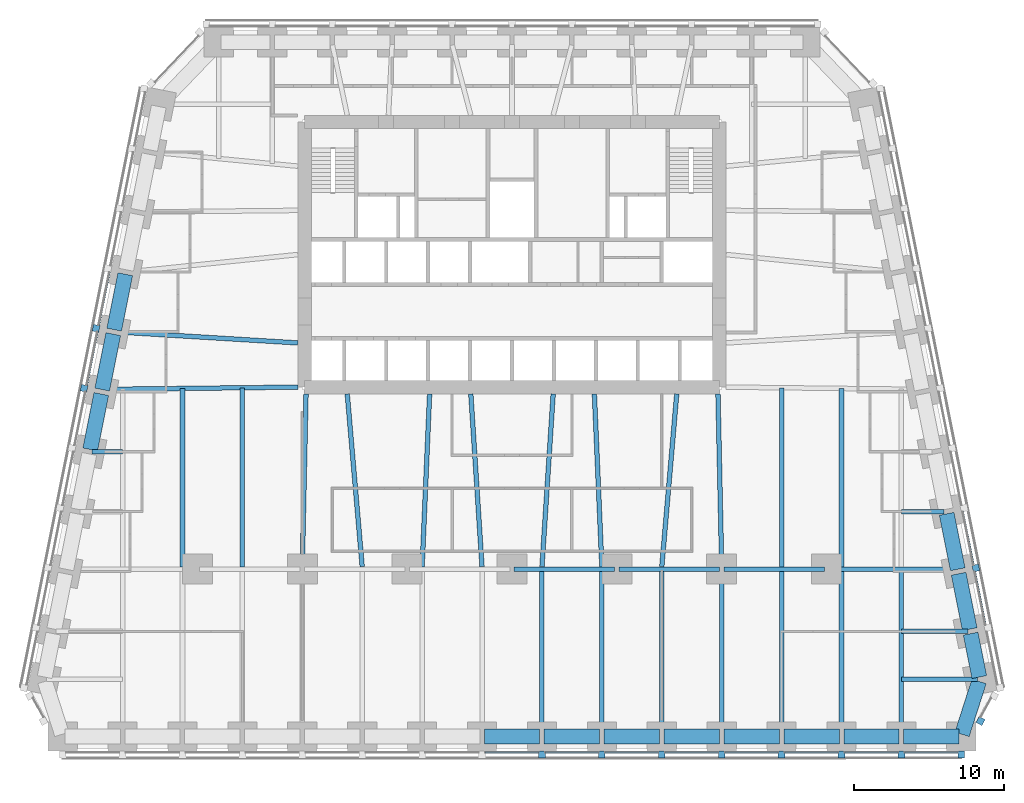
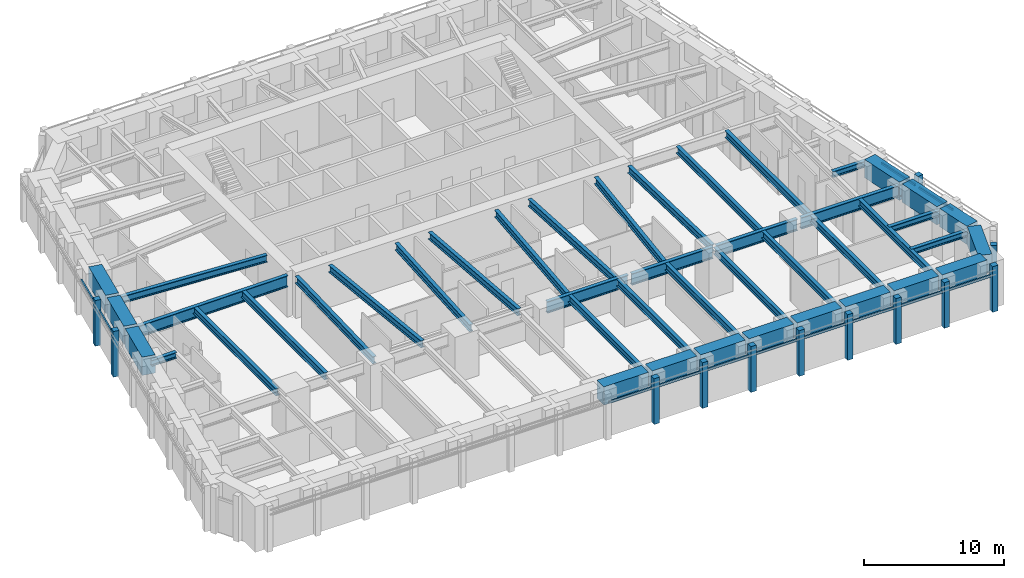
# One storey, part 2 of 10: 44 beams, 24 members, 4 elements without a shape of their own.
"""IFC4 building model written with IfcOpenShell, lengths in metres."""

import ifcopenshell
import ifcopenshell.guid

model = None  # the IFC model being written
_history = None  # IfcOwnerHistory: only IFC2X3 demands one
_inside = {}  # id of a spatial element -> (the spatial element, [elements in it])
_under = {}  # id of a project, library or spatial element -> (it, [spatial elements below it])
_declared = {}  # id of a project -> (the project, [libraries it declares])
_typed = {}  # id of a type object -> (the type object, [elements of that type])
_made_of = {}  # id of a material, layer set ... -> (it, [elements and type objects made of it])


def new_model(schema):
    """Start an empty IFC model of exactly this schema.

    Asked for "IFC4X3", IfcOpenShell would pick the latest addendum, in which some entities
    have other attributes; the version numbers below select the first issue.
    IFC2X3 requires an IfcOwnerHistory on every rooted entity: one is made here for all.
    """
    global model, _history
    if schema == "IFC4X3":
        model = ifcopenshell.file(schema_version=(4, 3, 0, 0))
    else:
        model = ifcopenshell.file(schema=schema)
    _inside.clear()
    _under.clear()
    _declared.clear()
    _typed.clear()
    _made_of.clear()
    _history = None
    if model.schema == "IFC2X3":
        org = make("IfcOrganization", Name="unknown")
        user = make(
            "IfcPersonAndOrganization",
            ThePerson=make("IfcPerson", FamilyName="unknown"),
            TheOrganization=org,
        )
        app = make(
            "IfcApplication",
            ApplicationDeveloper=org,
            Version="unknown",
            ApplicationFullName="unknown",
            ApplicationIdentifier="unknown",
        )
        _history = make(
            "IfcOwnerHistory",
            OwningUser=user,
            OwningApplication=app,
            ChangeAction="ADDED",
            CreationDate=0,
        )
    return model


def make(cls, **values):
    """One entity of the class cls with the attributes given. An attribute that is None is left unset."""
    return model.create_entity(
        cls, **{name: value for name, value in values.items() if value is not None}
    )


def rooted(cls, **values):
    """An entity with a GlobalId (a new one), such as an element, a storey or a relation."""
    return make(cls, GlobalId=ifcopenshell.guid.new(), OwnerHistory=_history, **values)


def si_unit(unit_type, name, prefix=None):
    """IfcSIUnit, for example si_unit("LENGTHUNIT", "METRE", prefix="MILLI")."""
    return make("IfcSIUnit", UnitType=unit_type, Prefix=prefix, Name=name)


def assignment(units):
    """IfcUnitAssignment: the units of a project."""
    return None if units is None else make("IfcUnitAssignment", Units=units)


def point(xyz):
    """IfcCartesianPoint."""
    return None if xyz is None else make("IfcCartesianPoint", Coordinates=xyz)


def direction(xyz):
    """IfcDirection."""
    return None if xyz is None else make("IfcDirection", DirectionRatios=xyz)


def frame(location, z_axis=None, x_axis=None):
    """IfcAxis2Placement3D, a coordinate frame: its origin and axes. An axis left out is left unset."""
    return make(
        "IfcAxis2Placement3D",
        Location=point(location),
        Axis=direction(z_axis),
        RefDirection=direction(x_axis),
    )


def frame_2d(location, x_axis=None):
    """IfcAxis2Placement2D, a coordinate frame in the plane: its origin and x axis."""
    return make(
        "IfcAxis2Placement2D", Location=point(location), RefDirection=direction(x_axis)
    )


def origin():
    """The frame at (0, 0, 0) with its axes left unset."""
    return frame((0.0, 0.0, 0.0))


def origin_2d():
    """The frame at (0, 0) in the plane with its x axis left unset."""
    return frame_2d((0.0, 0.0))


def place(relative_to, where):
    """IfcLocalPlacement: puts the frame where relative to a parent placement (None: the world)."""
    return make(
        "IfcLocalPlacement", PlacementRelTo=relative_to, RelativePlacement=where
    )


def context(
    kind, dimensions, precision=None, world=None, true_north=None, identifier=None
):
    """IfcGeometricRepresentationContext, for example the 3D "Model" context."""
    return make(
        "IfcGeometricRepresentationContext",
        ContextIdentifier=identifier,
        ContextType=kind,
        CoordinateSpaceDimension=dimensions,
        Precision=precision,
        WorldCoordinateSystem=world,
        TrueNorth=true_north,
    )


def subcontext(parent, identifier, kind, view, scale=None):
    """IfcGeometricRepresentationSubContext, for example "Body" below "Model"."""
    return make(
        "IfcGeometricRepresentationSubContext",
        ContextIdentifier=identifier,
        ContextType=kind,
        ParentContext=parent,
        TargetScale=scale,
        TargetView=view,
    )


def project(units=None, contexts=None):
    """IfcProject with its units and contexts."""
    return rooted(
        "IfcProject",
        Name="project",
        RepresentationContexts=contexts,
        UnitsInContext=assignment(units),
    )


def spatial(cls, under=None, at=None, **own):
    """A site, building, storey or space (cls), placed at a placement, below another one or the project."""
    s = rooted(cls, ObjectPlacement=at, **own)
    if under is not None:
        _under.setdefault(under.id(), (under, []))[1].append(s)
    return s


def profile(cls, at=None, kind="AREA", **sizes):
    """A parametric profile (cls). Its sizes go by their IFC names, for example OverallWidth=200.0."""
    return make(cls, ProfileType=kind, Position=at, **sizes)


def rectangle(**sizes):
    """IfcRectangleProfileDef."""
    return profile("IfcRectangleProfileDef", **sizes)


def i_section(**sizes):
    """IfcIShapeProfileDef."""
    return profile("IfcIShapeProfileDef", **sizes)


def extrude(swept, where, along, depth):
    """IfcExtrudedAreaSolid: the profile swept, set in the frame where, extruded along a direction by depth."""
    return make(
        "IfcExtrudedAreaSolid",
        SweptArea=swept,
        Position=where,
        ExtrudedDirection=direction(along),
        Depth=depth,
    )


def shape(context_of_items, identifier, shape_type, items):
    """IfcShapeRepresentation: the items that make up one representation, for example the "Body"."""
    return make(
        "IfcShapeRepresentation",
        ContextOfItems=context_of_items,
        RepresentationIdentifier=identifier,
        RepresentationType=shape_type,
        Items=items,
    )


def material(Name=None, Category=None):
    """IfcMaterial."""
    return make("IfcMaterial", Name=Name, Category=Category)


def material_profile(
    of_material, cross_section, Name=None, Category=None, Priority=None
):
    """IfcMaterialProfile: a cross section and its material."""
    return make(
        "IfcMaterialProfile",
        Name=Name,
        Material=of_material,
        Profile=cross_section,
        Priority=Priority,
        Category=Category,
    )


def profile_set(profiles, Name=None, composite=None):
    """IfcMaterialProfileSet."""
    return make(
        "IfcMaterialProfileSet",
        Name=Name,
        MaterialProfiles=profiles,
        CompositeProfile=composite,
    )


def made_of(thing, what):
    """Note that an element or type object is made of a material, layer set ...; save() writes the relation."""
    if what is not None:
        _made_of.setdefault(what.id(), (what, []))[1].append(thing)
    return thing


def type_object(cls, material=None, **own):
    """A type object (cls), such as IfcWallType, which elements share."""
    return made_of(rooted(cls, **own), material)


def element(
    cls,
    number,
    at=None,
    inside=None,
    cuts=None,
    type_object=None,
    material=None,
    context=None,
    identifier="Body",
    shape_type=None,
    held_by="IfcProductDefinitionShape",
    body=None,
    shapes=None,
    **own,
):
    """One element of the class cls, such as IfcWall. Its Tag is "e" and its number.

    at: its placement. inside: the storey or other place that contains it. cuts: it is an
    opening in that element (IfcRelVoidsElement). A single representation is given by context,
    identifier, shape_type and body (its items); several are given by shapes. held_by: the class
    of the entity that holds the representations. save() writes the other relations.
    """
    e = rooted(cls, Tag="e%d" % number, ObjectPlacement=at, **own)
    if body is not None:
        shapes = [shape(context, identifier, shape_type, body)]
    if shapes is not None:
        e.Representation = make(held_by, Representations=shapes)
    if inside is not None:
        _inside.setdefault(inside.id(), (inside, []))[1].append(e)
    if cuts is not None:
        rooted(
            "IfcRelVoidsElement", RelatingBuildingElement=cuts, RelatedOpeningElement=e
        )
    if type_object is not None:
        _typed.setdefault(type_object.id(), (type_object, []))[1].append(e)
    return made_of(e, material)


def aggregate(whole, parts):
    """IfcRelAggregates: a whole, such as a stair, and the parts it consists of."""
    return rooted("IfcRelAggregates", RelatingObject=whole, RelatedObjects=parts)


def save(model, path):
    """Write the relations noted so far, then the file.

    IfcRelAggregates (storeys below a building ...), IfcRelContainedInSpatialStructure (elements
    in a storey), IfcRelDefinesByType, IfcRelAssociatesMaterial and IfcRelDeclares: one each for
    every whole, place, type object, material and project.
    """
    for whole, parts in _under.values():
        aggregate(whole, parts)
    for where, things in _inside.values():
        rooted(
            "IfcRelContainedInSpatialStructure",
            RelatedElements=things,
            RelatingStructure=where,
        )
    for kind, things in _typed.values():
        rooted("IfcRelDefinesByType", RelatedObjects=things, RelatingType=kind)
    for what, things in _made_of.values():
        rooted("IfcRelAssociatesMaterial", RelatedObjects=things, RelatingMaterial=what)
    for by, libraries in _declared.values():
        rooted("IfcRelDeclares", RelatingContext=by, RelatedDefinitions=libraries)
    model.write(path)


model = new_model("IFC4")

# Units and contexts
model_context = context("Model", 3, precision=1e-05, world=origin(), true_north=direction((0.0, 1.0)))
body_context = subcontext(model_context, "Body", "Model", "MODEL_VIEW")
ifc_project = project(units=[si_unit("LENGTHUNIT", "METRE"), si_unit("AREAUNIT", "SQUARE_METRE"), si_unit("VOLUMEUNIT", "CUBIC_METRE"), si_unit("PLANEANGLEUNIT", "RADIAN"), si_unit("MASSUNIT", "GRAM", prefix="KILO")], contexts=[model_context])

# Site, building, storey
site_placement = place(None, origin())
site = spatial("IfcSite", under=ifc_project, at=site_placement, CompositionType="ELEMENT")
building_placement = place(site_placement, origin())
building = spatial("IfcBuilding", under=site, at=building_placement, Name="Isbrekke Arena Tower", CompositionType="ELEMENT")
storey_placement = place(building_placement, frame((0.0, 0.0, 88.0)))
storey = spatial("IfcBuildingStorey", under=building, at=storey_placement, Name="L19", CompositionType="ELEMENT", Elevation=88.0)

# Beams
ifc_material_1 = material(Name="Steel S355", Category="steel")
ifc_material_profile_1 = material_profile(ifc_material_1, i_section(OverallWidth=0.304931640625, OverallDepth=0.6201171875, WebThickness=0.02099609375, FlangeThickness=0.0400390625, FilletRadius=0.027099609375, at=origin_2d()), Name="HEM 600")
ifc_profile_set_1 = profile_set([ifc_material_profile_1], Name="Steel S355")
beam_type_1 = type_object("IfcBeamType", Name="B4 HEM 600", PredefinedType="BEAM", material=ifc_profile_set_1)
for number, where, z_axis, x_axis, name in (
    (1, (2.0, -17.02490234375, 3.43994140625), (0.0, 1.0, 0.0), (-1.0, 0.0, 0.0), "B4 beam S-S09 L19"),
    (2, (6.0, -17.02490234375, 3.43994140625), (0.0, 1.0, 0.0), (-1.0, 0.0, 0.0), "B4 beam S-S10 L19"),
    (3, (10.0, -17.02490234375, 3.43994140625), (0.0, 1.0, 0.0), (-1.0, 0.0, 0.0), "B4 beam S-S11 L19"),
):
    element("IfcBeam", number, at=place(storey_placement, frame(where, z_axis=z_axis, x_axis=x_axis)), inside=storey, type_object=beam_type_1, Name=name, PredefinedType="BEAM", context=body_context, shape_type="SweptSolid", body=[
        extrude(i_section(OverallWidth=0.304931640625, OverallDepth=0.6201171875, WebThickness=0.02099609375, FlangeThickness=0.0400390625, FilletRadius=0.027099609375, at=origin_2d()), origin(), (0.0, 0.0, 1.0), 10.8740234375),
    ])
beam_1_placement = place(storey_placement, frame((14.0, -17.02490234375, 3.43994140625), z_axis=(0.0, 1.0, 0.0), x_axis=(-1.0, 0.0, 0.0)))
element("IfcBeam", 4, at=beam_1_placement, inside=storey, type_object=beam_type_1, Name="B4 beam S-S12 L19", PredefinedType="BEAM", context=body_context, shape_type="SweptSolid", body=[
    extrude(i_section(OverallWidth=0.304931640625, OverallDepth=0.6201171875, WebThickness=0.02099609375, FlangeThickness=0.0400390625, FilletRadius=0.027099609375, at=origin_2d()), origin(), (0.0, 0.0, 1.0), 10.875),
])
for number, where, z_axis, x_axis, name in (
    (5, (18.0, -17.02490234375, 3.43994140625), (0.0, 1.0, 0.0), (-1.0, 0.0, 0.0), "B4 beam S-S13 L19"),
    (6, (22.0, -17.02490234375, 3.43994140625), (0.0, 1.0, 0.0), (-1.0, 0.0, 0.0), "B4 beam S-S14 L19"),
    (7, (26.0, -17.02490234375, 3.43994140625), (0.0, 1.0, 0.0), (-1.0, 0.0, 0.0), "B4 beam S-S15 L19"),
):
    element("IfcBeam", number, at=place(storey_placement, frame(where, z_axis=z_axis, x_axis=x_axis)), inside=storey, type_object=beam_type_1, Name=name, PredefinedType="BEAM", context=body_context, shape_type="SweptSolid", body=[
        extrude(i_section(OverallWidth=0.304931640625, OverallDepth=0.6201171875, WebThickness=0.02099609375, FlangeThickness=0.0400390625, FilletRadius=0.027099609375, at=origin_2d()), origin(), (0.0, 0.0, 1.0), 10.8740234375),
    ])
beam_2_placement = place(storey_placement, frame((-22.0, -5.84912109375, 3.43994140625), z_axis=(0.0, 1.0, 0.0), x_axis=(-1.0, 0.0, 0.0)))
element("IfcBeam", 8, at=beam_2_placement, inside=storey, type_object=beam_type_1, Name="B4 beam C-M02 L19", PredefinedType="BEAM", context=body_context, shape_type="SweptSolid", body=[
    extrude(i_section(OverallWidth=0.304931640625, OverallDepth=0.6201171875, WebThickness=0.02099609375, FlangeThickness=0.0400390625, FilletRadius=0.027099609375, at=origin_2d()), origin(), (0.0, 0.0, 1.0), 11.910888671875),
])
beam_3_placement = place(storey_placement, frame((-18.0, -5.84912109375, 3.43994140625), z_axis=(0.0, 1.0, 0.0), x_axis=(-1.0, 0.0, 0.0)))
element("IfcBeam", 9, at=beam_3_placement, inside=storey, type_object=beam_type_1, Name="B4 beam C-M03 L19", PredefinedType="BEAM", context=body_context, shape_type="SweptSolid", body=[
    extrude(i_section(OverallWidth=0.304931640625, OverallDepth=0.6201171875, WebThickness=0.02099609375, FlangeThickness=0.0400390625, FilletRadius=0.027099609375, at=origin_2d()), origin(), (0.0, 0.0, 1.0), 11.956787109375),
])
beam_4_placement = place(storey_placement, frame((-14.0, -5.8466796875, 3.43994140625), z_axis=(0.021646264273, 0.999765692171, 0.0), x_axis=(-0.999765692171, 0.021646264273, 0.0)))
element("IfcBeam", 10, at=beam_4_placement, inside=storey, type_object=beam_type_1, Name="B4 beam C-M04 L19", PredefinedType="BEAM", context=body_context, shape_type="SweptSolid", body=[
    extrude(i_section(OverallWidth=0.304931640625, OverallDepth=0.6201171875, WebThickness=0.02099609375, FlangeThickness=0.0400390625, FilletRadius=0.027099609375, at=origin_2d()), origin(), (0.0, 0.0, 1.0), 11.54931640625),
])
beam_5_placement = place(storey_placement, frame((-10.001220703125, -5.8359375, 3.43994140625), z_axis=(-0.086257483273, 0.996272877569, 0.0), x_axis=(-0.996272877569, -0.086257483273, 0.0)))
element("IfcBeam", 11, at=beam_5_placement, inside=storey, type_object=beam_type_1, Name="B4 beam C-M05 L19", PredefinedType="BEAM", context=body_context, shape_type="SweptSolid", body=[
    extrude(i_section(OverallWidth=0.304931640625, OverallDepth=0.6201171875, WebThickness=0.02099609375, FlangeThickness=0.0400390625, FilletRadius=0.027099609375, at=origin_2d()), origin(), (0.0, 0.0, 1.0), 11.5791015625),
])
beam_6_placement = place(storey_placement, frame((-5.999755859375, -5.842529296875, 3.43994140625), z_axis=(0.04325656756, 0.99906399663, 0.0), x_axis=(-0.99906399663, 0.04325656756, 0.0)))
element("IfcBeam", 12, at=beam_6_placement, inside=storey, type_object=beam_type_1, Name="B4 beam C-M06 L19", PredefinedType="BEAM", context=body_context, shape_type="SweptSolid", body=[
    extrude(i_section(OverallWidth=0.304931640625, OverallDepth=0.6201171875, WebThickness=0.02099609375, FlangeThickness=0.0400390625, FilletRadius=0.027099609375, at=origin_2d()), origin(), (0.0, 0.0, 1.0), 11.55322265625),
])
for number, where, z_axis, x_axis, name in (
    (13, (-2.000732421875, -5.839111328125, 3.43994140625), (-0.064796683644, 0.997898486715, 0.0), (-0.997898486715, -0.064796683644, 0.0), "B4 beam C-M07 L19"),
    (14, (2.000732421875, -5.839111328125, 3.43994140625), (0.064796683644, 0.997898486715, 0.0), (-0.997898486715, 0.064796683644, 0.0), "B4 beam C-M08 L19"),
):
    element("IfcBeam", number, at=place(storey_placement, frame(where, z_axis=z_axis, x_axis=x_axis)), inside=storey, type_object=beam_type_1, Name=name, PredefinedType="BEAM", context=body_context, shape_type="SweptSolid", body=[
        extrude(i_section(OverallWidth=0.304931640625, OverallDepth=0.6201171875, WebThickness=0.02099609375, FlangeThickness=0.0400390625, FilletRadius=0.027099609375, at=origin_2d()), origin(), (0.0, 0.0, 1.0), 11.5634765625),
    ])
beam_7_placement = place(storey_placement, frame((5.999755859375, -5.842529296875, 3.43994140625), z_axis=(-0.04325656756, 0.99906399663, 0.0), x_axis=(-0.99906399663, -0.04325656756, 0.0)))
element("IfcBeam", 15, at=beam_7_placement, inside=storey, type_object=beam_type_1, Name="B4 beam C-M09 L19", PredefinedType="BEAM", context=body_context, shape_type="SweptSolid", body=[
    extrude(i_section(OverallWidth=0.304931640625, OverallDepth=0.6201171875, WebThickness=0.02099609375, FlangeThickness=0.0400390625, FilletRadius=0.027099609375, at=origin_2d()), origin(), (0.0, 0.0, 1.0), 11.55322265625),
])
beam_8_placement = place(storey_placement, frame((10.001220703125, -5.8359375, 3.43994140625), z_axis=(0.086257483273, 0.996272877569, 0.0), x_axis=(-0.996272877569, 0.086257483273, 0.0)))
element("IfcBeam", 16, at=beam_8_placement, inside=storey, type_object=beam_type_1, Name="B4 beam C-M10 L19", PredefinedType="BEAM", context=body_context, shape_type="SweptSolid", body=[
    extrude(i_section(OverallWidth=0.304931640625, OverallDepth=0.6201171875, WebThickness=0.02099609375, FlangeThickness=0.0400390625, FilletRadius=0.027099609375, at=origin_2d()), origin(), (0.0, 0.0, 1.0), 11.5791015625),
])
beam_9_placement = place(storey_placement, frame((14.0, -5.8466796875, 3.43994140625), z_axis=(-0.021646264273, 0.999765692171, 0.0), x_axis=(-0.999765692171, -0.021646264273, 0.0)))
element("IfcBeam", 17, at=beam_9_placement, inside=storey, type_object=beam_type_1, Name="B4 beam C-M11 L19", PredefinedType="BEAM", context=body_context, shape_type="SweptSolid", body=[
    extrude(i_section(OverallWidth=0.304931640625, OverallDepth=0.6201171875, WebThickness=0.02099609375, FlangeThickness=0.0400390625, FilletRadius=0.027099609375, at=origin_2d()), origin(), (0.0, 0.0, 1.0), 11.54931640625),
])
beam_10_placement = place(storey_placement, frame((18.0, -5.84912109375, 3.43994140625), z_axis=(0.0, 1.0, 0.0), x_axis=(-1.0, 0.0, 0.0)))
element("IfcBeam", 18, at=beam_10_placement, inside=storey, type_object=beam_type_1, Name="B4 beam C-M12 L19", PredefinedType="BEAM", context=body_context, shape_type="SweptSolid", body=[
    extrude(i_section(OverallWidth=0.304931640625, OverallDepth=0.6201171875, WebThickness=0.02099609375, FlangeThickness=0.0400390625, FilletRadius=0.027099609375, at=origin_2d()), origin(), (0.0, 0.0, 1.0), 11.956787109375),
])
beam_11_placement = place(storey_placement, frame((22.0, -5.84912109375, 3.43994140625), z_axis=(0.0, 1.0, 0.0), x_axis=(-1.0, 0.0, 0.0)))
element("IfcBeam", 19, at=beam_11_placement, inside=storey, type_object=beam_type_1, Name="B4 beam C-M13 L19", PredefinedType="BEAM", context=body_context, shape_type="SweptSolid", body=[
    extrude(i_section(OverallWidth=0.304931640625, OverallDepth=0.6201171875, WebThickness=0.02099609375, FlangeThickness=0.0400390625, FilletRadius=0.027099609375, at=origin_2d()), origin(), (0.0, 0.0, 1.0), 11.910888671875),
])
beam_12_placement = place(storey_placement, frame((-26.431884765625, 9.837646484375, 3.43994140625), z_axis=(0.998157121592, -0.060682457223, 0.0), x_axis=(0.060682457223, 0.998157121592, 0.0)))
element("IfcBeam", 20, at=beam_12_placement, inside=storey, type_object=beam_type_1, Name="B4 beam E-W05 L19", PredefinedType="BEAM", context=body_context, shape_type="SweptSolid", body=[
    extrude(i_section(OverallWidth=0.304931640625, OverallDepth=0.6201171875, WebThickness=0.02099609375, FlangeThickness=0.0400390625, FilletRadius=0.027099609375, at=origin_2d()), origin(), (0.0, 0.0, 1.0), 12.154296875),
])
ifc_material_2 = material(Name="Steel S355", Category="steel")
ifc_material_profile_2 = material_profile(ifc_material_2, i_section(OverallWidth=0.305908203125, OverallDepth=0.52392578125, WebThickness=0.02099609375, FlangeThickness=0.0400390625, FilletRadius=0.027099609375, at=origin_2d()), Name="HEM 500")
ifc_profile_set_2 = profile_set([ifc_material_profile_2], Name="Steel S355")
beam_type_2 = type_object("IfcBeamType", Name="B5 HEM 500", PredefinedType="BEAM", material=ifc_profile_set_2)
beam_13_placement = place(storey_placement, frame((31.079345703125, -13.352783203125, 3.488037109375), z_axis=(-1.0, 0.0, 0.0), x_axis=(0.0, -1.0, 0.0)))
element("IfcBeam", 21, at=beam_13_placement, inside=storey, type_object=beam_type_2, Name="B5 beam E-E01 L19", PredefinedType="BEAM", context=body_context, shape_type="SweptSolid", body=[
    extrude(i_section(OverallWidth=0.305908203125, OverallDepth=0.52392578125, WebThickness=0.02099609375, FlangeThickness=0.0400390625, FilletRadius=0.027099609375, at=origin_2d()), origin(), (0.0, 0.0, 1.0), 5.079345703125),
])
beam_14_placement = place(storey_placement, frame((30.44091796875, -10.161865234375, 3.488037109375), z_axis=(-1.0, 0.0, 0.0), x_axis=(0.0, -1.0, 0.0)))
element("IfcBeam", 22, at=beam_14_placement, inside=storey, type_object=beam_type_2, Name="B5 beam E-E02 L19", PredefinedType="BEAM", context=body_context, shape_type="SweptSolid", body=[
    extrude(i_section(OverallWidth=0.305908203125, OverallDepth=0.52392578125, WebThickness=0.02099609375, FlangeThickness=0.0400390625, FilletRadius=0.027099609375, at=origin_2d()), origin(), (0.0, 0.0, 1.0), 4.44091796875),
])
beam_15_placement = place(storey_placement, frame((28.841064453125, -2.161865234375, 3.488037109375), z_axis=(-1.0, 0.0, 0.0), x_axis=(0.0, -1.0, 0.0)))
element("IfcBeam", 23, at=beam_15_placement, inside=storey, type_object=beam_type_2, Name="B5 beam E-E04 L19", PredefinedType="BEAM", context=body_context, shape_type="SweptSolid", body=[
    extrude(i_section(OverallWidth=0.305908203125, OverallDepth=0.52392578125, WebThickness=0.02099609375, FlangeThickness=0.0400390625, FilletRadius=0.027099609375, at=origin_2d()), origin(), (0.0, 0.0, 1.0), 2.841064453125),
])
beam_16_placement = place(storey_placement, frame((-28.041015625, 1.838134765625, 3.488037109375), z_axis=(1.0, 0.0, 0.0), x_axis=(0.0, 1.0, 0.0)))
element("IfcBeam", 24, at=beam_16_placement, inside=storey, type_object=beam_type_2, Name="B5 beam E-W07 L19", PredefinedType="BEAM", context=body_context, shape_type="SweptSolid", body=[
    extrude(i_section(OverallWidth=0.305908203125, OverallDepth=0.52392578125, WebThickness=0.02099609375, FlangeThickness=0.0400390625, FilletRadius=0.027099609375, at=origin_2d()), origin(), (0.0, 0.0, 1.0), 2.041015625),
])

# Curtain wall, members
ifc_material_3 = material(Name="Glazed aluminium curtain wall", Category="aluminium")
curtain_wall_type = type_object("IfcCurtainWallType", Name="CWL TOWER CURTAIN WALL LOW ZONE", PredefinedType="USERDEFINED", material=ifc_material_3)
curtain_wall_1_placement = place(storey_placement, origin())
curtain_wall_1 = element("IfcCurtainWall", 25, at=curtain_wall_1_placement, inside=storey, type_object=curtain_wall_type, Name="CWL curtain wall L19-S", ObjectType="TOWER CURTAIN WALL LOW ZONE", PredefinedType="USERDEFINED")
ifc_material_4 = material(Name="Aluminium mullion, pale brick slip cladding", Category="masonry")
ifc_material_profile_3 = material_profile(ifc_material_4, rectangle(XDim=0.449951171875, YDim=0.449951171875, at=origin_2d()), Name="PIER 450X450")
ifc_profile_set_3 = profile_set([ifc_material_profile_3], Name="Aluminium mullion, pale brick slip cladding")
member_type_1 = type_object("IfcMemberType", Name="CWL-M PIER MULLION 450 x 450", PredefinedType="MULLION", material=ifc_profile_set_3)
member_1_placement = place(storey_placement, frame((2.0, -18.375, 0.0), z_axis=(0.0, 0.0, 1.0), x_axis=(1.0, 0.0, 0.0)))
member_1 = element("IfcMember", 26, at=member_1_placement, type_object=member_type_1, Name="CWL-M mullion 9", PredefinedType="MULLION", context=body_context, shape_type="SweptSolid", body=[
    extrude(rectangle(XDim=0.449951171875, YDim=0.449951171875, at=origin_2d()), origin(), (0.0, 0.0, 1.0), 4.0),
])
member_2_placement = place(storey_placement, frame((6.0, -18.375, 0.0), z_axis=(0.0, 0.0, 1.0), x_axis=(1.0, 0.0, 0.0)))
member_2 = element("IfcMember", 27, at=member_2_placement, type_object=member_type_1, Name="CWL-M mullion 10", PredefinedType="MULLION", context=body_context, shape_type="SweptSolid", body=[
    extrude(rectangle(XDim=0.449951171875, YDim=0.449951171875, at=origin_2d()), origin(), (0.0, 0.0, 1.0), 4.0),
])
member_3_placement = place(storey_placement, frame((10.0, -18.375, 0.0), z_axis=(0.0, 0.0, 1.0), x_axis=(1.0, 0.0, 0.0)))
member_3 = element("IfcMember", 28, at=member_3_placement, type_object=member_type_1, Name="CWL-M mullion 11", PredefinedType="MULLION", context=body_context, shape_type="SweptSolid", body=[
    extrude(rectangle(XDim=0.449951171875, YDim=0.449951171875, at=origin_2d()), origin(), (0.0, 0.0, 1.0), 4.0),
])
member_4_placement = place(storey_placement, frame((14.0, -18.375, 0.0), z_axis=(0.0, 0.0, 1.0), x_axis=(1.0, 0.0, 0.0)))
member_4 = element("IfcMember", 29, at=member_4_placement, type_object=member_type_1, Name="CWL-M mullion 12", PredefinedType="MULLION", context=body_context, shape_type="SweptSolid", body=[
    extrude(rectangle(XDim=0.449951171875, YDim=0.449951171875, at=origin_2d()), origin(), (0.0, 0.0, 1.0), 4.0),
])
member_5_placement = place(storey_placement, frame((18.0, -18.375, 0.0), z_axis=(0.0, 0.0, 1.0), x_axis=(1.0, 0.0, 0.0)))
member_5 = element("IfcMember", 30, at=member_5_placement, type_object=member_type_1, Name="CWL-M mullion 13", PredefinedType="MULLION", context=body_context, shape_type="SweptSolid", body=[
    extrude(rectangle(XDim=0.449951171875, YDim=0.449951171875, at=origin_2d()), origin(), (0.0, 0.0, 1.0), 4.0),
])
member_6_placement = place(storey_placement, frame((22.0, -18.375, 0.0), z_axis=(0.0, 0.0, 1.0), x_axis=(1.0, 0.0, 0.0)))
member_6 = element("IfcMember", 31, at=member_6_placement, type_object=member_type_1, Name="CWL-M mullion 14", PredefinedType="MULLION", context=body_context, shape_type="SweptSolid", body=[
    extrude(rectangle(XDim=0.449951171875, YDim=0.449951171875, at=origin_2d()), origin(), (0.0, 0.0, 1.0), 4.0),
])
member_7_placement = place(storey_placement, frame((26.0, -18.375, 0.0), z_axis=(0.0, 0.0, 1.0), x_axis=(1.0, 0.0, 0.0)))
member_7 = element("IfcMember", 32, at=member_7_placement, type_object=member_type_1, Name="CWL-M mullion 15", PredefinedType="MULLION", context=body_context, shape_type="SweptSolid", body=[
    extrude(rectangle(XDim=0.449951171875, YDim=0.449951171875, at=origin_2d()), origin(), (0.0, 0.0, 1.0), 4.0),
])
member_8_placement = place(storey_placement, frame((30.0, -18.375, 0.0), z_axis=(0.0, 0.0, 1.0), x_axis=(1.0, 0.0, 0.0)))
member_8 = element("IfcMember", 33, at=member_8_placement, type_object=member_type_1, Name="CWL-M mullion 16", PredefinedType="MULLION", context=body_context, shape_type="SweptSolid", body=[
    extrude(rectangle(XDim=0.449951171875, YDim=0.449951171875, at=origin_2d()), origin(), (0.0, 0.0, 1.0), 4.0),
])

# Curtain wall, member
curtain_wall_2_placement = place(storey_placement, origin())
curtain_wall_2 = element("IfcCurtainWall", 34, at=curtain_wall_2_placement, inside=storey, type_object=curtain_wall_type, Name="CWL curtain wall L19-SE", ObjectType="TOWER CURTAIN WALL LOW ZONE", PredefinedType="USERDEFINED")
member_9_placement = place(storey_placement, frame((31.2783203125, -16.142822265625, 0.0), z_axis=(0.0, 0.0, 1.0), x_axis=(0.481918749773, 0.876215908676, 0.0)))
member_9 = element("IfcMember", 35, at=member_9_placement, type_object=member_type_1, Name="CWL-M mullion 1", PredefinedType="MULLION", context=body_context, shape_type="SweptSolid", body=[
    extrude(rectangle(XDim=0.449951171875, YDim=0.449951171875, at=origin_2d()), origin(), (0.0, 0.0, 1.0), 4.0),
])
aggregate(curtain_wall_2, [member_9])

curtain_wall_3_placement = place(storey_placement, origin())
curtain_wall_3 = element("IfcCurtainWall", 36, at=curtain_wall_3_placement, inside=storey, type_object=curtain_wall_type, Name="CWL curtain wall L19-E", ObjectType="TOWER CURTAIN WALL LOW ZONE", PredefinedType="USERDEFINED")
member_10_placement = place(storey_placement, frame((30.9677734375, -5.926513671875, 0.0), z_axis=(0.0, 0.0, 1.0), x_axis=(-0.196116135138, 0.980580675691, 0.0)))
member_10 = element("IfcMember", 37, at=member_10_placement, type_object=member_type_1, Name="CWL-M mullion 3", PredefinedType="MULLION", context=body_context, shape_type="SweptSolid", body=[
    extrude(rectangle(XDim=0.449951171875, YDim=0.449951171875, at=origin_2d()), origin(), (0.0, 0.0, 1.0), 4.0),
])

# Curtain wall, members
curtain_wall_4_placement = place(storey_placement, origin())
curtain_wall_4 = element("IfcCurtainWall", 38, at=curtain_wall_4_placement, inside=storey, type_object=curtain_wall_type, Name="CWL curtain wall L19-W", ObjectType="TOWER CURTAIN WALL LOW ZONE", PredefinedType="USERDEFINED")
member_11_placement = place(storey_placement, frame((-27.767822265625, 10.073486328125, 0.0), z_axis=(0.0, 0.0, 1.0), x_axis=(-0.196116135138, -0.980580675691, 0.0)))
member_11 = element("IfcMember", 39, at=member_11_placement, type_object=member_type_1, Name="CWL-M mullion 5", PredefinedType="MULLION", context=body_context, shape_type="SweptSolid", body=[
    extrude(rectangle(XDim=0.449951171875, YDim=0.449951171875, at=origin_2d()), origin(), (0.0, 0.0, 1.0), 4.0),
])
member_12_placement = place(storey_placement, frame((-28.567626953125, 6.073486328125, 0.0), z_axis=(0.0, 0.0, 1.0), x_axis=(-0.196116135138, -0.980580675691, 0.0)))
member_12 = element("IfcMember", 40, at=member_12_placement, type_object=member_type_1, Name="CWL-M mullion 6", PredefinedType="MULLION", context=body_context, shape_type="SweptSolid", body=[
    extrude(rectangle(XDim=0.449951171875, YDim=0.449951171875, at=origin_2d()), origin(), (0.0, 0.0, 1.0), 4.0),
])

# Member
ifc_material_5 = material(Name="Aluminium transom", Category="aluminium")
ifc_material_profile_4 = material_profile(ifc_material_5, rectangle(XDim=0.1201171875, YDim=0.199951171875, at=origin_2d()), Name="TRANSOM 120X200")
ifc_profile_set_4 = profile_set([ifc_material_profile_4], Name="Aluminium transom")
member_type_2 = type_object("IfcMemberType", Name="CWL-T TRANSOM 120 x 200", PredefinedType="USERDEFINED", material=ifc_profile_set_4)
member_13_placement = place(storey_placement, frame((-1.77490234375, -18.25, 3.0), z_axis=(1.0, 0.0, 0.0), x_axis=(0.0, 1.0, 0.0)))
member_13 = element("IfcMember", 41, at=member_13_placement, type_object=member_type_2, Name="CWL-T transom 8", ObjectType="TRANSOM", PredefinedType="USERDEFINED", context=body_context, shape_type="SweptSolid", body=[
    extrude(rectangle(XDim=0.1201171875, YDim=0.199951171875, at=origin_2d()), origin(), (0.0, 0.0, 1.0), 3.5498046875),
])

member_14_placement = place(storey_placement, frame((2.22509765625, -18.25, 3.0), z_axis=(1.0, 0.0, 0.0), x_axis=(0.0, 1.0, 0.0)))
member_14 = element("IfcMember", 42, at=member_14_placement, type_object=member_type_2, Name="CWL-T transom 9", ObjectType="TRANSOM", PredefinedType="USERDEFINED", context=body_context, shape_type="SweptSolid", body=[
    extrude(rectangle(XDim=0.1201171875, YDim=0.199951171875, at=origin_2d()), origin(), (0.0, 0.0, 1.0), 3.5498046875),
])

member_15_placement = place(storey_placement, frame((6.22509765625, -18.25, 3.0), z_axis=(1.0, 0.0, 0.0), x_axis=(0.0, 1.0, 0.0)))
member_15 = element("IfcMember", 43, at=member_15_placement, type_object=member_type_2, Name="CWL-T transom 10", ObjectType="TRANSOM", PredefinedType="USERDEFINED", context=body_context, shape_type="SweptSolid", body=[
    extrude(rectangle(XDim=0.1201171875, YDim=0.199951171875, at=origin_2d()), origin(), (0.0, 0.0, 1.0), 3.5498046875),
])

member_16_placement = place(storey_placement, frame((10.22509765625, -18.25, 3.0), z_axis=(1.0, 0.0, 0.0), x_axis=(0.0, 1.0, 0.0)))
member_16 = element("IfcMember", 44, at=member_16_placement, type_object=member_type_2, Name="CWL-T transom 11", ObjectType="TRANSOM", PredefinedType="USERDEFINED", context=body_context, shape_type="SweptSolid", body=[
    extrude(rectangle(XDim=0.1201171875, YDim=0.199951171875, at=origin_2d()), origin(), (0.0, 0.0, 1.0), 3.5498046875),
])

member_17_placement = place(storey_placement, frame((14.22509765625, -18.25, 3.0), z_axis=(1.0, 0.0, 0.0), x_axis=(0.0, 1.0, 0.0)))
member_17 = element("IfcMember", 45, at=member_17_placement, type_object=member_type_2, Name="CWL-T transom 12", ObjectType="TRANSOM", PredefinedType="USERDEFINED", context=body_context, shape_type="SweptSolid", body=[
    extrude(rectangle(XDim=0.1201171875, YDim=0.199951171875, at=origin_2d()), origin(), (0.0, 0.0, 1.0), 3.5498046875),
])

member_18_placement = place(storey_placement, frame((18.22509765625, -18.25, 3.0), z_axis=(1.0, 0.0, 0.0), x_axis=(0.0, 1.0, 0.0)))
member_18 = element("IfcMember", 46, at=member_18_placement, type_object=member_type_2, Name="CWL-T transom 13", ObjectType="TRANSOM", PredefinedType="USERDEFINED", context=body_context, shape_type="SweptSolid", body=[
    extrude(rectangle(XDim=0.1201171875, YDim=0.199951171875, at=origin_2d()), origin(), (0.0, 0.0, 1.0), 3.5498046875),
])

member_19_placement = place(storey_placement, frame((22.22509765625, -18.25, 3.0), z_axis=(1.0, 0.0, 0.0), x_axis=(0.0, 1.0, 0.0)))
member_19 = element("IfcMember", 47, at=member_19_placement, type_object=member_type_2, Name="CWL-T transom 14", ObjectType="TRANSOM", PredefinedType="USERDEFINED", context=body_context, shape_type="SweptSolid", body=[
    extrude(rectangle(XDim=0.1201171875, YDim=0.199951171875, at=origin_2d()), origin(), (0.0, 0.0, 1.0), 3.5498046875),
])

member_20_placement = place(storey_placement, frame((26.22509765625, -18.25, 3.0), z_axis=(1.0, 0.0, 0.0), x_axis=(0.0, 1.0, 0.0)))
member_20 = element("IfcMember", 48, at=member_20_placement, type_object=member_type_2, Name="CWL-T transom 15", ObjectType="TRANSOM", PredefinedType="USERDEFINED", context=body_context, shape_type="SweptSolid", body=[
    extrude(rectangle(XDim=0.1201171875, YDim=0.199951171875, at=origin_2d()), origin(), (0.0, 0.0, 1.0), 3.5498046875),
])

aggregate(curtain_wall_1, [member_1, member_2, member_3, member_4, member_5, member_6, member_7, member_8, member_13, member_14, member_15, member_16, member_17, member_18, member_19, member_20])

member_21_placement = place(storey_placement, frame((31.60107421875, -9.730224609375, 3.0), z_axis=(-0.196167883278, 0.980570324643, 0.0), x_axis=(-0.980570324643, -0.196167883278, 0.0)))
member_21 = element("IfcMember", 49, at=member_21_placement, type_object=member_type_2, Name="CWL-T transom 2", ObjectType="TRANSOM", PredefinedType="USERDEFINED", context=body_context, shape_type="SweptSolid", body=[
    extrude(rectangle(XDim=0.1201171875, YDim=0.199951171875, at=origin_2d()), origin(), (0.0, 0.0, 1.0), 3.629150390625),
])

member_22_placement = place(storey_placement, frame((30.801025390625, -5.730224609375, 3.0), z_axis=(-0.196103197847, 0.98058326306, 0.0), x_axis=(-0.98058326306, -0.196103197847, 0.0)))
member_22 = element("IfcMember", 50, at=member_22_placement, type_object=member_type_2, Name="CWL-T transom 3", ObjectType="TRANSOM", PredefinedType="USERDEFINED", context=body_context, shape_type="SweptSolid", body=[
    extrude(rectangle(XDim=0.1201171875, YDim=0.199951171875, at=origin_2d()), origin(), (0.0, 0.0, 1.0), 3.629150390625),
])

aggregate(curtain_wall_3, [member_10, member_21, member_22])

member_23_placement = place(storey_placement, frame((-26.88916015625, 13.828369140625, 3.0), z_axis=(-0.196167883278, -0.980570324643, 0.0), x_axis=(0.980570324643, -0.196167883278, 0.0)))
member_23 = element("IfcMember", 51, at=member_23_placement, type_object=member_type_2, Name="CWL-T transom 4", ObjectType="TRANSOM", PredefinedType="USERDEFINED", context=body_context, shape_type="SweptSolid", body=[
    extrude(rectangle(XDim=0.1201171875, YDim=0.199951171875, at=origin_2d()), origin(), (0.0, 0.0, 1.0), 3.629150390625),
])

member_24_placement = place(storey_placement, frame((-27.689208984375, 9.828369140625, 3.0), z_axis=(-0.196167883278, -0.980570324643, 0.0), x_axis=(0.980570324643, -0.196167883278, 0.0)))
member_24 = element("IfcMember", 52, at=member_24_placement, type_object=member_type_2, Name="CWL-T transom 5", ObjectType="TRANSOM", PredefinedType="USERDEFINED", context=body_context, shape_type="SweptSolid", body=[
    extrude(rectangle(XDim=0.1201171875, YDim=0.199951171875, at=origin_2d()), origin(), (0.0, 0.0, 1.0), 3.629150390625),
])

aggregate(curtain_wall_4, [member_11, member_12, member_23, member_24])

# Beams
ifc_material_6 = material(Name="Steel S355", Category="steel")
ifc_material_profile_5 = material_profile(ifc_material_6, i_section(OverallWidth=0.302001953125, OverallDepth=1.008056640625, WebThickness=0.02099609375, FlangeThickness=0.0400390625, FilletRadius=0.030029296875, at=origin_2d()), Name="HEM 1000")
ifc_profile_set_5 = profile_set([ifc_material_profile_5], Name="Steel S355")
beam_type_3 = type_object("IfcBeamType", Name="G1 HEM 1000", PredefinedType="BEAM", material=ifc_profile_set_5)
for number, where, z_axis, x_axis, name in (
    (53, (0.14990234375, -6.0, 3.24609375), (1.0, 0.0, 0.0), (0.0, 1.0, 0.0), "G1 beam G1-05 L19"),
    (54, (7.14990234375, -6.0, 3.24609375), (1.0, 0.0, 0.0), (0.0, 1.0, 0.0), "G1 beam G1-06 L19"),
    (55, (14.14990234375, -6.0, 3.24609375), (1.0, 0.0, 0.0), (0.0, 1.0, 0.0), "G1 beam G1-07 L19"),
):
    element("IfcBeam", number, at=place(storey_placement, frame(where, z_axis=z_axis, x_axis=x_axis)), inside=storey, type_object=beam_type_3, Name=name, PredefinedType="BEAM", context=body_context, shape_type="SweptSolid", body=[
        extrude(i_section(OverallWidth=0.302001953125, OverallDepth=1.008056640625, WebThickness=0.02099609375, FlangeThickness=0.0400390625, FilletRadius=0.030029296875, at=origin_2d()), origin(), (0.0, 0.0, 1.0), 6.7001953125),
    ])
beam_17_placement = place(storey_placement, frame((21.14990234375, -6.0, 3.24609375), z_axis=(1.0, 0.0, 0.0), x_axis=(0.0, 1.0, 0.0)))
element("IfcBeam", 56, at=beam_17_placement, inside=storey, type_object=beam_type_3, Name="G1 beam G1-08 L19", PredefinedType="BEAM", context=body_context, shape_type="SweptSolid", body=[
    extrude(i_section(OverallWidth=0.302001953125, OverallDepth=1.008056640625, WebThickness=0.02099609375, FlangeThickness=0.0400390625, FilletRadius=0.030029296875, at=origin_2d()), origin(), (0.0, 0.0, 1.0), 8.64111328125),
])
ifc_material_7 = material(Name="Steel S355", Category="steel")
ifc_material_profile_6 = material_profile(ifc_material_7, i_section(OverallWidth=0.302001953125, OverallDepth=1.008056640625, WebThickness=0.02099609375, FlangeThickness=0.0400390625, FilletRadius=0.030029296875, at=origin_2d()), Name="HEM 1000")
ifc_profile_set_6 = profile_set([ifc_material_profile_6], Name="Steel S355")
beam_type_4 = type_object("IfcBeamType", Name="G2 HEM 1000", PredefinedType="BEAM", material=ifc_profile_set_6)
beam_18_placement = place(storey_placement, frame((-14.300048828125, 6.14990234375, 3.24609375), z_axis=(-0.999934429634, -0.011451481699, 0.0), x_axis=(0.011451481699, -0.999934429634, 0.0)))
element("IfcBeam", 57, at=beam_18_placement, inside=storey, type_object=beam_type_4, Name="G2 beam G2-W L19", PredefinedType="BEAM", context=body_context, shape_type="SweptSolid", body=[
    extrude(i_section(OverallWidth=0.302001953125, OverallDepth=1.008056640625, WebThickness=0.02099609375, FlangeThickness=0.0400390625, FilletRadius=0.030029296875, at=origin_2d()), origin(), (0.0, 0.0, 1.0), 13.09033203125),
])
ifc_material_8 = material(Name="Concrete B90 (C90/105)", Category="concrete")
ifc_material_profile_7 = material_profile(ifc_material_8, rectangle(XDim=1.0, YDim=1.60009765625, at=origin_2d()), Name="RC 1000x1600")
ifc_profile_set_7 = profile_set([ifc_material_profile_7], Name="Concrete B90 (C90/105)")
beam_type_5 = type_object("IfcBeamType", Name="SB1 RC 1000 x 1600", PredefinedType="SPANDREL", material=ifc_profile_set_7)
for number, where, z_axis, x_axis, name in (
    (58, (-1.85009765625, -17.175048828125, 3.199951171875), (1.0, 0.0, 0.0), (0.0, 1.0, 0.0), "SB1 spandrel S08-S09 L19"),
    (59, (2.14990234375, -17.175048828125, 3.199951171875), (1.0, 0.0, 0.0), (0.0, 1.0, 0.0), "SB1 spandrel S09-S10 L19"),
    (60, (6.14990234375, -17.175048828125, 3.199951171875), (1.0, 0.0, 0.0), (0.0, 1.0, 0.0), "SB1 spandrel S10-S11 L19"),
    (61, (10.14990234375, -17.175048828125, 3.199951171875), (1.0, 0.0, 0.0), (0.0, 1.0, 0.0), "SB1 spandrel S11-S12 L19"),
    (62, (14.14990234375, -17.175048828125, 3.199951171875), (1.0, 0.0, 0.0), (0.0, 1.0, 0.0), "SB1 spandrel S12-S13 L19"),
    (63, (18.14990234375, -17.175048828125, 3.199951171875), (1.0, 0.0, 0.0), (0.0, 1.0, 0.0), "SB1 spandrel S13-S14 L19"),
    (64, (22.14990234375, -17.175048828125, 3.199951171875), (1.0, 0.0, 0.0), (0.0, 1.0, 0.0), "SB1 spandrel S14-S15 L19"),
    (65, (26.14990234375, -17.175048828125, 3.199951171875), (1.0, 0.0, 0.0), (0.0, 1.0, 0.0), "SB1 spandrel S15-S16 L19"),
):
    element("IfcBeam", number, at=place(storey_placement, frame(where, z_axis=z_axis, x_axis=x_axis)), inside=storey, type_object=beam_type_5, Name=name, PredefinedType="SPANDREL", context=body_context, shape_type="SweptSolid", body=[
        extrude(rectangle(XDim=1.0, YDim=1.60009765625, at=origin_2d()), origin(), (0.0, 0.0, 1.0), 3.7001953125),
    ])
beam_19_placement = place(storey_placement, frame((30.0458984375, -17.0322265625, 3.199951171875), z_axis=(0.306175101476, 0.951975213562, 0.0), x_axis=(-0.951975213562, 0.306175101476, 0.0)))
element("IfcBeam", 66, at=beam_19_placement, inside=storey, type_object=beam_type_5, Name="SB1 spandrel S16-E01 L19", PredefinedType="SPANDREL", context=body_context, shape_type="SweptSolid", body=[
    extrude(rectangle(XDim=1.0, YDim=1.60009765625, at=origin_2d()), origin(), (0.0, 0.0, 1.0), 3.715087890625),
])
beam_20_placement = place(storey_placement, frame((31.19970703125, -13.205810546875, 3.199951171875), z_axis=(-0.196100243168, 0.980583853951, 0.0), x_axis=(-0.980583853951, -0.196100243168, 0.0)))
element("IfcBeam", 67, at=beam_20_placement, inside=storey, type_object=beam_type_5, Name="SB1 spandrel E01-E02 L19", PredefinedType="SPANDREL", context=body_context, shape_type="SweptSolid", body=[
    extrude(rectangle(XDim=1.0, YDim=1.60009765625, at=origin_2d()), origin(), (0.0, 0.0, 1.0), 2.954345703125),
])
beam_21_placement = place(storey_placement, frame((30.5615234375, -10.0146484375, 3.199951171875), z_axis=(-0.1960664412, 0.980590613169, 0.0), x_axis=(-0.980590613169, -0.1960664412, 0.0)))
element("IfcBeam", 68, at=beam_21_placement, inside=storey, type_object=beam_type_5, Name="SB1 spandrel E02-E03 L19", PredefinedType="SPANDREL", context=body_context, shape_type="SweptSolid", body=[
    extrude(rectangle(XDim=1.0, YDim=1.60009765625, at=origin_2d()), origin(), (0.0, 0.0, 1.0), 3.779052734375),
])
beam_22_placement = place(storey_placement, frame((29.76171875, -6.0146484375, 3.199951171875), z_axis=(-0.196128558387, 0.980578190959, 0.0), x_axis=(-0.980578190959, -0.196128558387, 0.0)))
element("IfcBeam", 69, at=beam_22_placement, inside=storey, type_object=beam_type_5, Name="SB1 spandrel E03-E04 L19", PredefinedType="SPANDREL", context=body_context, shape_type="SweptSolid", body=[
    extrude(rectangle(XDim=1.0, YDim=1.60009765625, at=origin_2d()), origin(), (0.0, 0.0, 1.0), 3.779296875),
])
beam_23_placement = place(storey_placement, frame((-25.820556640625, 13.691162109375, 3.199951171875), z_axis=(-0.1960664412, -0.980590613169, 0.0), x_axis=(0.980590613169, -0.1960664412, 0.0)))
element("IfcBeam", 70, at=beam_23_placement, inside=storey, type_object=beam_type_5, Name="SB1 spandrel W04-W05 L19", PredefinedType="SPANDREL", context=body_context, shape_type="SweptSolid", body=[
    extrude(rectangle(XDim=1.0, YDim=1.60009765625, at=origin_2d()), origin(), (0.0, 0.0, 1.0), 3.779052734375),
])
for number, where, z_axis, x_axis, name in (
    (71, (-26.620361328125, 9.691162109375, 3.199951171875), (-0.196128558387, -0.980578190959, 0.0), (0.980578190959, -0.196128558387, 0.0), "SB1 spandrel W05-W06 L19"),
    (72, (-27.42041015625, 5.691162109375, 3.199951171875), (-0.196128558387, -0.980578190959, 0.0), (0.980578190959, -0.196128558387, 0.0), "SB1 spandrel W06-W07 L19"),
):
    element("IfcBeam", number, at=place(storey_placement, frame(where, z_axis=z_axis, x_axis=x_axis)), inside=storey, type_object=beam_type_5, Name=name, PredefinedType="SPANDREL", context=body_context, shape_type="SweptSolid", body=[
        extrude(rectangle(XDim=1.0, YDim=1.60009765625, at=origin_2d()), origin(), (0.0, 0.0, 1.0), 3.779296875),
    ])

save(model, "model.ifc")
